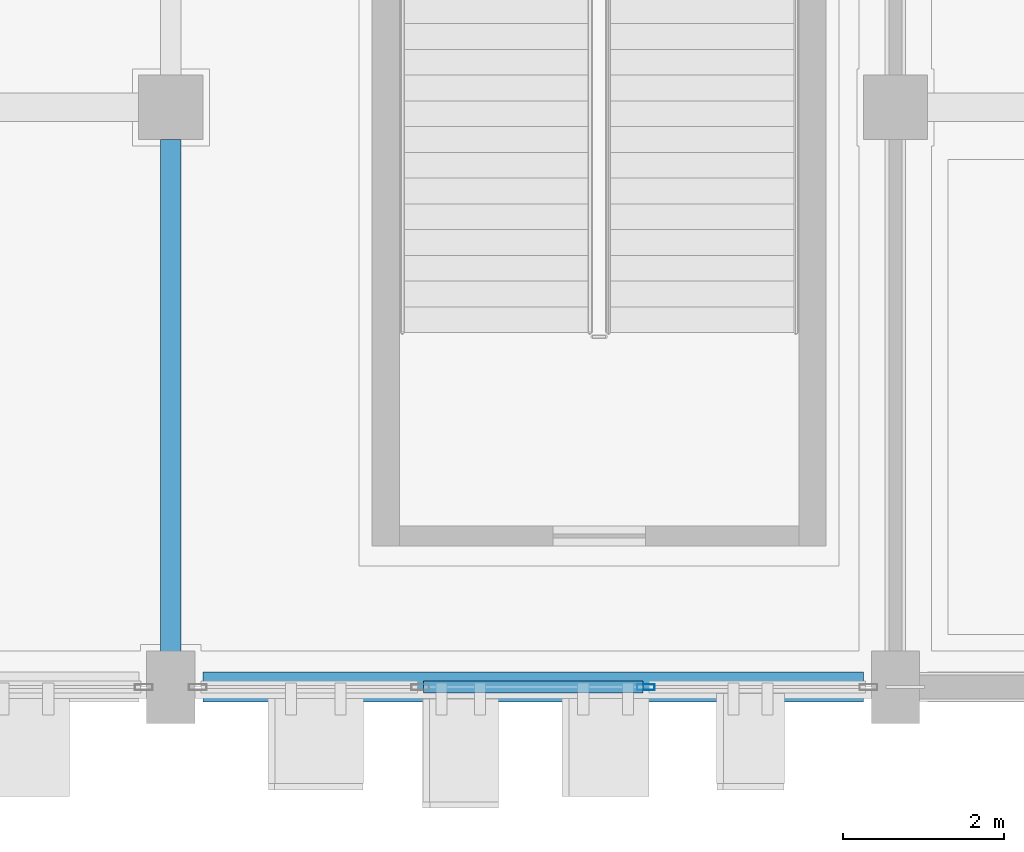
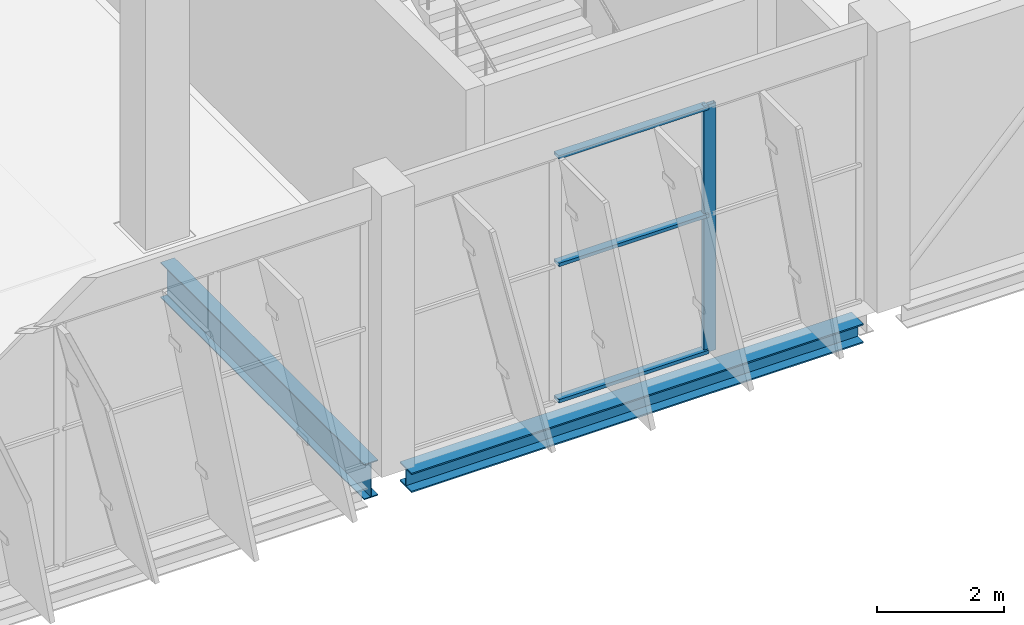
# One storey, part 27 of 137: 4 members, 2 beams, 1 element without a shape of its own.
"""IFC4 building model written with IfcOpenShell, lengths in metres."""

from ifc_helpers import new_model, si_unit, direction, frame, origin, origin_2d, place, context, subcontext, project, spatial, hollow_rectangle, i_section, extrude, material, layer, layer_set, material_profile, profile_set, type_object, element, aggregate, save


model = new_model("IFC4")

# Units and contexts
model_context = context("Model", 3, precision=1e-05, world=origin(), true_north=direction((0.0, 1.0)))
body_context = subcontext(model_context, "Body", "Model", "MODEL_VIEW")
ifc_project = project(units=[si_unit("LENGTHUNIT", "METRE"), si_unit("AREAUNIT", "SQUARE_METRE"), si_unit("VOLUMEUNIT", "CUBIC_METRE"), si_unit("PLANEANGLEUNIT", "RADIAN"), si_unit("MASSUNIT", "GRAM", prefix="KILO")], contexts=[model_context])

# Site, building, storey
site_placement = place(None, origin())
site = spatial("IfcSite", under=ifc_project, at=site_placement, CompositionType="ELEMENT")
building_placement = place(site_placement, origin())
building = spatial("IfcBuilding", under=site, at=building_placement, Name="Celestram Park Convention Centre", CompositionType="ELEMENT")
storey_placement = place(building_placement, origin())
storey = spatial("IfcBuildingStorey", under=building, at=storey_placement, Name="L00", CompositionType="ELEMENT", Elevation=0.0)

# Curtain wall, members
ifc_material_1 = material(Name="Anodised Aluminium Alloy 6063-T6", Category="aluminium")
ifc_layer = layer(ifc_material_1, 0.179931640625)
ifc_layer_set = layer_set([ifc_layer], Name="Anodised Aluminium Alloy 6063-T6")
curtain_wall_type = type_object("IfcCurtainWallType", Name="ARC-CW-840X475", PredefinedType="NOTDEFINED", material=ifc_layer_set)
curtain_wall_placement = place(storey_placement, origin())
curtain_wall = element("IfcCurtainWall", 1, at=curtain_wall_placement, inside=storey, type_object=curtain_wall_type, Name="Unitised curtain wall CU-L00-031", PredefinedType="NOTDEFINED")
ifc_material_profile_1 = material_profile(ifc_material_1, hollow_rectangle(XDim=0.074951171875, YDim=0.219970703125, WallThickness=0.00390625, at=origin_2d()), Name="ALU75X220X4")
ifc_profile_set_1 = profile_set([ifc_material_profile_1], Name="Anodised Aluminium Alloy 6063-T6")
member_type_1 = type_object("IfcMemberType", Name="ARC-CWM-180", PredefinedType="MULLION", material=ifc_profile_set_1)
member_1_placement = place(storey_placement, frame((158.900634765625, 0.0, 0.0), z_axis=(0.0, 0.0, 1.0), x_axis=(0.0, -1.0, 0.0)))
member_1 = element("IfcMember", 2, at=member_1_placement, type_object=member_type_1, Name="CW-84X47 mullion 2", PredefinedType="MULLION", context=body_context, shape_type="SweptSolid", body=[
    extrude(hollow_rectangle(XDim=0.074951171875, YDim=0.219970703125, WallThickness=0.00390625, at=origin_2d()), origin(), (0.0, 0.0, 1.0), 4.7470703125),
])
ifc_material_profile_2 = material_profile(ifc_material_1, hollow_rectangle(XDim=0.14990234375, YDim=0.06494140625, WallThickness=0.0029296875, at=origin_2d()), Name="ALU150X65X3")
ifc_profile_set_2 = profile_set([ifc_material_profile_2], Name="Anodised Aluminium Alloy 6063-T6")
member_type_2 = type_object("IfcMemberType", Name="ARC-CWT-150", PredefinedType="USERDEFINED", material=ifc_profile_set_2)
member_2_placement = place(storey_placement, frame((158.86328125, 0.0, 0.032470703125), z_axis=(-1.0, 0.0, 0.0), x_axis=(0.0, -1.0, 0.0)))
member_2 = element("IfcMember", 3, at=member_2_placement, type_object=member_type_2, Name="CW-84X47 transom 2.1", ObjectType="TRANSOM", PredefinedType="USERDEFINED", context=body_context, shape_type="SweptSolid", body=[
    extrude(hollow_rectangle(XDim=0.14990234375, YDim=0.06494140625, WallThickness=0.0029296875, at=origin_2d()), origin(), (0.0, 0.0, 1.0), 2.7265625),
])
member_3_placement = place(storey_placement, frame((158.86328125, 0.0, 2.64990234375), z_axis=(-1.0, 0.0, 0.0), x_axis=(0.0, -1.0, 0.0)))
member_3 = element("IfcMember", 4, at=member_3_placement, type_object=member_type_2, Name="CW-84X47 transom 2.2", ObjectType="TRANSOM", PredefinedType="USERDEFINED", context=body_context, shape_type="SweptSolid", body=[
    extrude(hollow_rectangle(XDim=0.14990234375, YDim=0.06494140625, WallThickness=0.0029296875, at=origin_2d()), origin(), (0.0, 0.0, 1.0), 2.7265625),
])
member_4_placement = place(storey_placement, frame((158.86328125, 0.0, 4.714599609375), z_axis=(-1.0, 0.0, 0.0), x_axis=(0.0, -1.0, 0.0)))
member_4 = element("IfcMember", 5, at=member_4_placement, type_object=member_type_2, Name="CW-84X47 transom 2.3", ObjectType="TRANSOM", PredefinedType="USERDEFINED", context=body_context, shape_type="SweptSolid", body=[
    extrude(hollow_rectangle(XDim=0.14990234375, YDim=0.06494140625, WallThickness=0.0029296875, at=origin_2d()), origin(), (0.0, 0.0, 1.0), 2.7265625),
])
aggregate(curtain_wall, [member_1, member_2, member_3, member_4])

# Beams
ifc_material_2 = material(Name="Steel ASTM A992 Grade 50", Category="steel")
ifc_material_profile_3 = material_profile(ifc_material_2, i_section(OverallWidth=0.25390625, OverallDepth=0.68310546875, WebThickness=0.012451171875, FlangeThickness=0.01904296875, at=origin_2d()), Name="W27X94")
ifc_profile_set_3 = profile_set([ifc_material_profile_3], Name="Steel ASTM A992 Grade 50")
beam_type_1 = type_object("IfcBeamType", Name="STR-BM-W27X94", PredefinedType="BEAM", material=ifc_profile_set_3)
beam_1_placement = place(storey_placement, frame((153.0, 0.39794921875, -0.66162109375), z_axis=(0.0, 1.0, 0.0), x_axis=(-1.0, 0.0, 0.0)))
element("IfcBeam", 6, at=beam_1_placement, inside=storey, type_object=beam_type_1, Name="Primary Y-girder BG-L00-0693", PredefinedType="BEAM", context=body_context, shape_type="SweptSolid", body=[
    extrude(i_section(OverallWidth=0.25390625, OverallDepth=0.68310546875, WebThickness=0.012451171875, FlangeThickness=0.01904296875, at=origin_2d()), origin(), (0.0, 0.0, 1.0), 6.404052734375),
])
ifc_material_profile_4 = material_profile(ifc_material_2, i_section(OverallWidth=0.373046875, OverallDepth=0.373046875, WebThickness=0.016357421875, FlangeThickness=0.026123046875, at=origin_2d()), Name="W14X132")
ifc_profile_set_4 = profile_set([ifc_material_profile_4], Name="Steel ASTM A992 Grade 50")
beam_type_2 = type_object("IfcBeamType", Name="STR-SPN-W14X132", PredefinedType="SPANDREL", material=ifc_profile_set_4)
beam_2_placement = place(storey_placement, frame((153.39794921875, 0.0, -0.506591796875), z_axis=(1.0, 0.0, 0.0), x_axis=(0.0, 1.0, 0.0)))
element("IfcBeam", 7, at=beam_2_placement, inside=storey, type_object=beam_type_2, Name="Primary X-girder BG-L00-0692", PredefinedType="SPANDREL", context=body_context, shape_type="SweptSolid", body=[
    extrude(i_section(OverallWidth=0.373046875, OverallDepth=0.373046875, WebThickness=0.016357421875, FlangeThickness=0.026123046875, at=origin_2d()), origin(), (0.0, 0.0, 1.0), 8.2041015625),
])

save(model, "model.ifc")
